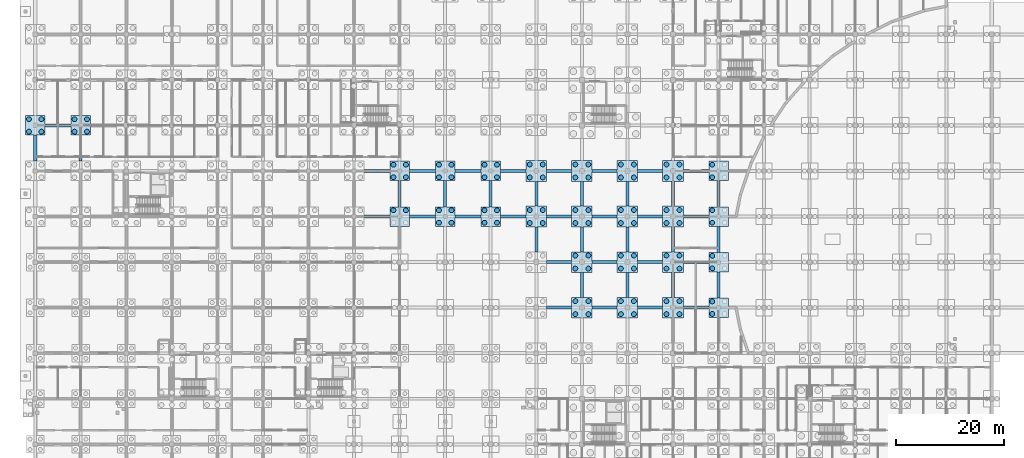
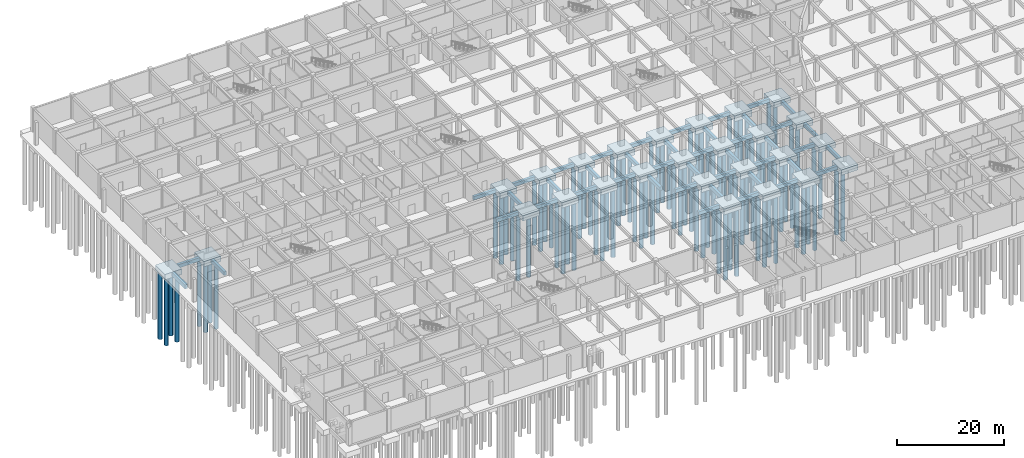
# One storey, part 6 of 65: 94 piles, 70 footings.
"""IFC4 building model written with IfcOpenShell, lengths in metres."""

import ifcopenshell
import ifcopenshell.guid

model = None  # the IFC model being written
_history = None  # IfcOwnerHistory: only IFC2X3 demands one
_inside = {}  # id of a spatial element -> (the spatial element, [elements in it])
_under = {}  # id of a project, library or spatial element -> (it, [spatial elements below it])
_declared = {}  # id of a project -> (the project, [libraries it declares])
_typed = {}  # id of a type object -> (the type object, [elements of that type])
_made_of = {}  # id of a material, layer set ... -> (it, [elements and type objects made of it])


def new_model(schema):
    """Start an empty IFC model of exactly this schema.

    Asked for "IFC4X3", IfcOpenShell would pick the latest addendum, in which some entities
    have other attributes; the version numbers below select the first issue.
    IFC2X3 requires an IfcOwnerHistory on every rooted entity: one is made here for all.
    """
    global model, _history
    if schema == "IFC4X3":
        model = ifcopenshell.file(schema_version=(4, 3, 0, 0))
    else:
        model = ifcopenshell.file(schema=schema)
    _inside.clear()
    _under.clear()
    _declared.clear()
    _typed.clear()
    _made_of.clear()
    _history = None
    if model.schema == "IFC2X3":
        org = make("IfcOrganization", Name="unknown")
        user = make(
            "IfcPersonAndOrganization",
            ThePerson=make("IfcPerson", FamilyName="unknown"),
            TheOrganization=org,
        )
        app = make(
            "IfcApplication",
            ApplicationDeveloper=org,
            Version="unknown",
            ApplicationFullName="unknown",
            ApplicationIdentifier="unknown",
        )
        _history = make(
            "IfcOwnerHistory",
            OwningUser=user,
            OwningApplication=app,
            ChangeAction="ADDED",
            CreationDate=0,
        )
    return model


def make(cls, **values):
    """One entity of the class cls with the attributes given. An attribute that is None is left unset."""
    return model.create_entity(
        cls, **{name: value for name, value in values.items() if value is not None}
    )


def rooted(cls, **values):
    """An entity with a GlobalId (a new one), such as an element, a storey or a relation."""
    return make(cls, GlobalId=ifcopenshell.guid.new(), OwnerHistory=_history, **values)


def si_unit(unit_type, name, prefix=None):
    """IfcSIUnit, for example si_unit("LENGTHUNIT", "METRE", prefix="MILLI")."""
    return make("IfcSIUnit", UnitType=unit_type, Prefix=prefix, Name=name)


def assignment(units):
    """IfcUnitAssignment: the units of a project."""
    return None if units is None else make("IfcUnitAssignment", Units=units)


def point(xyz):
    """IfcCartesianPoint."""
    return None if xyz is None else make("IfcCartesianPoint", Coordinates=xyz)


def direction(xyz):
    """IfcDirection."""
    return None if xyz is None else make("IfcDirection", DirectionRatios=xyz)


def frame(location, z_axis=None, x_axis=None):
    """IfcAxis2Placement3D, a coordinate frame: its origin and axes. An axis left out is left unset."""
    return make(
        "IfcAxis2Placement3D",
        Location=point(location),
        Axis=direction(z_axis),
        RefDirection=direction(x_axis),
    )


def frame_2d(location, x_axis=None):
    """IfcAxis2Placement2D, a coordinate frame in the plane: its origin and x axis."""
    return make(
        "IfcAxis2Placement2D", Location=point(location), RefDirection=direction(x_axis)
    )


def origin():
    """The frame at (0, 0, 0) with its axes left unset."""
    return frame((0.0, 0.0, 0.0))


def origin_2d():
    """The frame at (0, 0) in the plane with its x axis left unset."""
    return frame_2d((0.0, 0.0))


def place(relative_to, where):
    """IfcLocalPlacement: puts the frame where relative to a parent placement (None: the world)."""
    return make(
        "IfcLocalPlacement", PlacementRelTo=relative_to, RelativePlacement=where
    )


def context(
    kind, dimensions, precision=None, world=None, true_north=None, identifier=None
):
    """IfcGeometricRepresentationContext, for example the 3D "Model" context."""
    return make(
        "IfcGeometricRepresentationContext",
        ContextIdentifier=identifier,
        ContextType=kind,
        CoordinateSpaceDimension=dimensions,
        Precision=precision,
        WorldCoordinateSystem=world,
        TrueNorth=true_north,
    )


def subcontext(parent, identifier, kind, view, scale=None):
    """IfcGeometricRepresentationSubContext, for example "Body" below "Model"."""
    return make(
        "IfcGeometricRepresentationSubContext",
        ContextIdentifier=identifier,
        ContextType=kind,
        ParentContext=parent,
        TargetScale=scale,
        TargetView=view,
    )


def project(units=None, contexts=None):
    """IfcProject with its units and contexts."""
    return rooted(
        "IfcProject",
        Name="project",
        RepresentationContexts=contexts,
        UnitsInContext=assignment(units),
    )


def spatial(cls, under=None, at=None, **own):
    """A site, building, storey or space (cls), placed at a placement, below another one or the project."""
    s = rooted(cls, ObjectPlacement=at, **own)
    if under is not None:
        _under.setdefault(under.id(), (under, []))[1].append(s)
    return s


def profile(cls, at=None, kind="AREA", **sizes):
    """A parametric profile (cls). Its sizes go by their IFC names, for example OverallWidth=200.0."""
    return make(cls, ProfileType=kind, Position=at, **sizes)


def rectangle(**sizes):
    """IfcRectangleProfileDef."""
    return profile("IfcRectangleProfileDef", **sizes)


def circle(**sizes):
    """IfcCircleProfileDef."""
    return profile("IfcCircleProfileDef", **sizes)


def extrude(swept, where, along, depth):
    """IfcExtrudedAreaSolid: the profile swept, set in the frame where, extruded along a direction by depth."""
    return make(
        "IfcExtrudedAreaSolid",
        SweptArea=swept,
        Position=where,
        ExtrudedDirection=direction(along),
        Depth=depth,
    )


def shape(context_of_items, identifier, shape_type, items):
    """IfcShapeRepresentation: the items that make up one representation, for example the "Body"."""
    return make(
        "IfcShapeRepresentation",
        ContextOfItems=context_of_items,
        RepresentationIdentifier=identifier,
        RepresentationType=shape_type,
        Items=items,
    )


def material(Name=None, Category=None):
    """IfcMaterial."""
    return make("IfcMaterial", Name=Name, Category=Category)


def material_profile(
    of_material, cross_section, Name=None, Category=None, Priority=None
):
    """IfcMaterialProfile: a cross section and its material."""
    return make(
        "IfcMaterialProfile",
        Name=Name,
        Material=of_material,
        Profile=cross_section,
        Priority=Priority,
        Category=Category,
    )


def profile_set(profiles, Name=None, composite=None):
    """IfcMaterialProfileSet."""
    return make(
        "IfcMaterialProfileSet",
        Name=Name,
        MaterialProfiles=profiles,
        CompositeProfile=composite,
    )


def made_of(thing, what):
    """Note that an element or type object is made of a material, layer set ...; save() writes the relation."""
    if what is not None:
        _made_of.setdefault(what.id(), (what, []))[1].append(thing)
    return thing


def type_object(cls, material=None, **own):
    """A type object (cls), such as IfcWallType, which elements share."""
    return made_of(rooted(cls, **own), material)


def element(
    cls,
    number,
    at=None,
    inside=None,
    cuts=None,
    type_object=None,
    material=None,
    context=None,
    identifier="Body",
    shape_type=None,
    held_by="IfcProductDefinitionShape",
    body=None,
    shapes=None,
    **own,
):
    """One element of the class cls, such as IfcWall. Its Tag is "e" and its number.

    at: its placement. inside: the storey or other place that contains it. cuts: it is an
    opening in that element (IfcRelVoidsElement). A single representation is given by context,
    identifier, shape_type and body (its items); several are given by shapes. held_by: the class
    of the entity that holds the representations. save() writes the other relations.
    """
    e = rooted(cls, Tag="e%d" % number, ObjectPlacement=at, **own)
    if body is not None:
        shapes = [shape(context, identifier, shape_type, body)]
    if shapes is not None:
        e.Representation = make(held_by, Representations=shapes)
    if inside is not None:
        _inside.setdefault(inside.id(), (inside, []))[1].append(e)
    if cuts is not None:
        rooted(
            "IfcRelVoidsElement", RelatingBuildingElement=cuts, RelatedOpeningElement=e
        )
    if type_object is not None:
        _typed.setdefault(type_object.id(), (type_object, []))[1].append(e)
    return made_of(e, material)


def aggregate(whole, parts):
    """IfcRelAggregates: a whole, such as a stair, and the parts it consists of."""
    return rooted("IfcRelAggregates", RelatingObject=whole, RelatedObjects=parts)


def save(model, path):
    """Write the relations noted so far, then the file.

    IfcRelAggregates (storeys below a building ...), IfcRelContainedInSpatialStructure (elements
    in a storey), IfcRelDefinesByType, IfcRelAssociatesMaterial and IfcRelDeclares: one each for
    every whole, place, type object, material and project.
    """
    for whole, parts in _under.values():
        aggregate(whole, parts)
    for where, things in _inside.values():
        rooted(
            "IfcRelContainedInSpatialStructure",
            RelatedElements=things,
            RelatingStructure=where,
        )
    for kind, things in _typed.values():
        rooted("IfcRelDefinesByType", RelatedObjects=things, RelatingType=kind)
    for what, things in _made_of.values():
        rooted("IfcRelAssociatesMaterial", RelatedObjects=things, RelatingMaterial=what)
    for by, libraries in _declared.values():
        rooted("IfcRelDeclares", RelatingContext=by, RelatedDefinitions=libraries)
    model.write(path)


model = new_model("IFC4")

# Units and contexts
model_context = context("Model", 3, precision=1e-05, world=origin(), true_north=direction((0.0, 1.0)))
body_context = subcontext(model_context, "Body", "Model", "MODEL_VIEW")
ifc_project = project(units=[si_unit("LENGTHUNIT", "METRE"), si_unit("AREAUNIT", "SQUARE_METRE"), si_unit("VOLUMEUNIT", "CUBIC_METRE"), si_unit("PLANEANGLEUNIT", "RADIAN"), si_unit("MASSUNIT", "GRAM", prefix="KILO")], contexts=[model_context])

# Site, building, storey
site_placement = place(None, origin())
site = spatial("IfcSite", under=ifc_project, at=site_placement, CompositionType="ELEMENT")
building_placement = place(site_placement, origin())
building = spatial("IfcBuilding", under=site, at=building_placement, Name="Bramfleet General Hospital", CompositionType="ELEMENT")
storey_placement = place(building_placement, frame((0.0, 0.0, -5.39990234375)))
storey = spatial("IfcBuildingStorey", under=building, at=storey_placement, Name="B1", CompositionType="ELEMENT", Elevation=-5.39990234375)

# Footings
ifc_material = material(Name="Concrete C35/45", Category="concrete")
ifc_material_profile_1 = material_profile(ifc_material, rectangle(XDim=0.550048828125, YDim=0.800048828125, at=origin_2d()), Name="RC FB 800x550")
ifc_profile_set_1 = profile_set([ifc_material_profile_1], Name="Concrete C35/45")
footing_type_1 = type_object("IfcFootingType", Name="FTG-FB-01", PredefinedType="FOOTING_BEAM", material=ifc_profile_set_1)
footing_1_placement = place(storey_placement, frame((1.800048828125, 67.199951171875, -0.900146484375), z_axis=(1.0, 0.0, 0.0), x_axis=(0.0, 1.0, 0.0)))
element("IfcFooting", 1, at=footing_1_placement, inside=storey, type_object=footing_type_1, Name="Foundation Tie Beam X 00-08", PredefinedType="FOOTING_BEAM", context=body_context, shape_type="SweptSolid", body=[
    extrude(rectangle(XDim=0.550048828125, YDim=0.800048828125, at=origin_2d()), origin(), (0.0, 0.0, 1.0), 4.800048828125),
])
for number, where, z_axis, x_axis, name in (
    (2, (8.39990234375, 60.60009765625, -0.900146484375), (0.0, 1.0, 0.0), (-1.0, 0.0, 0.0), "Foundation Tie Beam Y 01-07"),
    (3, (60.60009765625, 50.39990234375, -0.900146484375), (1.0, 0.0, 0.0), (0.0, 1.0, 0.0), "Foundation Tie Beam X 07-06"),
    (4, (60.60009765625, 58.800048828125, -0.900146484375), (1.0, 0.0, 0.0), (0.0, 1.0, 0.0), "Foundation Tie Beam X 07-07"),
):
    element("IfcFooting", number, at=place(storey_placement, frame(where, z_axis=z_axis, x_axis=x_axis)), inside=storey, type_object=footing_type_1, Name=name, PredefinedType="FOOTING_BEAM", context=body_context, shape_type="SweptSolid", body=[
        extrude(rectangle(XDim=0.550048828125, YDim=0.800048828125, at=origin_2d()), origin(), (0.0, 0.0, 1.0), 4.7998046875),
    ])
for number, where, z_axis, x_axis, name in (
    (5, (69.0, 50.39990234375, -0.900146484375), (1.0, 0.0, 0.0), (0.0, 1.0, 0.0), "Foundation Tie Beam X 08-06"),
    (6, (67.199951171875, 52.199951171875, -0.900146484375), (0.0, 1.0, 0.0), (-1.0, 0.0, 0.0), "Foundation Tie Beam Y 08-06"),
    (7, (69.0, 58.800048828125, -0.900146484375), (1.0, 0.0, 0.0), (0.0, 1.0, 0.0), "Foundation Tie Beam X 08-07"),
    (8, (77.39990234375, 50.39990234375, -0.900146484375), (1.0, 0.0, 0.0), (0.0, 1.0, 0.0), "Foundation Tie Beam X 09-06"),
    (9, (75.60009765625, 52.199951171875, -0.900146484375), (0.0, 1.0, 0.0), (-1.0, 0.0, 0.0), "Foundation Tie Beam Y 09-06"),
    (10, (77.39990234375, 58.800048828125, -0.900146484375), (1.0, 0.0, 0.0), (0.0, 1.0, 0.0), "Foundation Tie Beam X 09-07"),
):
    element("IfcFooting", number, at=place(storey_placement, frame(where, z_axis=z_axis, x_axis=x_axis)), inside=storey, type_object=footing_type_1, Name=name, PredefinedType="FOOTING_BEAM", context=body_context, shape_type="SweptSolid", body=[
        extrude(rectangle(XDim=0.550048828125, YDim=0.800048828125, at=origin_2d()), origin(), (0.0, 0.0, 1.0), 4.800048828125),
    ])
footing_2_placement = place(storey_placement, frame((85.800048828125, 50.39990234375, -0.900146484375), z_axis=(1.0, 0.0, 0.0), x_axis=(0.0, 1.0, 0.0)))
element("IfcFooting", 11, at=footing_2_placement, inside=storey, type_object=footing_type_1, Name="Foundation Tie Beam X 10-06", PredefinedType="FOOTING_BEAM", context=body_context, shape_type="SweptSolid", body=[
    extrude(rectangle(XDim=0.550048828125, YDim=0.800048828125, at=origin_2d()), origin(), (0.0, 0.0, 1.0), 4.699951171875),
])
footing_3_placement = place(storey_placement, frame((84.0, 52.199951171875, -0.900146484375), z_axis=(0.0, 1.0, 0.0), x_axis=(-1.0, 0.0, 0.0)))
element("IfcFooting", 12, at=footing_3_placement, inside=storey, type_object=footing_type_1, Name="Foundation Tie Beam Y 10-06", PredefinedType="FOOTING_BEAM", context=body_context, shape_type="SweptSolid", body=[
    extrude(rectangle(XDim=0.550048828125, YDim=0.800048828125, at=origin_2d()), origin(), (0.0, 0.0, 1.0), 4.800048828125),
])
footing_4_placement = place(storey_placement, frame((85.800048828125, 58.800048828125, -0.900146484375), z_axis=(1.0, 0.0, 0.0), x_axis=(0.0, 1.0, 0.0)))
element("IfcFooting", 13, at=footing_4_placement, inside=storey, type_object=footing_type_1, Name="Foundation Tie Beam X 10-07", PredefinedType="FOOTING_BEAM", context=body_context, shape_type="SweptSolid", body=[
    extrude(rectangle(XDim=0.550048828125, YDim=0.800048828125, at=origin_2d()), origin(), (0.0, 0.0, 1.0), 4.699951171875),
])
for number, where, z_axis, x_axis, name in (
    (14, (94.300048828125, 33.60009765625, -0.900146484375), (1.0, 0.0, 0.0), (0.0, 1.0, 0.0), "Foundation Tie Beam X 11-04"),
    (15, (94.300048828125, 42.0, -0.900146484375), (1.0, 0.0, 0.0), (0.0, 1.0, 0.0), "Foundation Tie Beam X 11-05"),
):
    element("IfcFooting", number, at=place(storey_placement, frame(where, z_axis=z_axis, x_axis=x_axis)), inside=storey, type_object=footing_type_1, Name=name, PredefinedType="FOOTING_BEAM", context=body_context, shape_type="SweptSolid", body=[
        extrude(rectangle(XDim=0.550048828125, YDim=0.800048828125, at=origin_2d()), origin(), (0.0, 0.0, 1.0), 4.599853515625),
    ])
footing_5_placement = place(storey_placement, frame((92.39990234375, 43.89990234375, -0.900146484375), z_axis=(0.0, 1.0, 0.0), x_axis=(-1.0, 0.0, 0.0)))
element("IfcFooting", 16, at=footing_5_placement, inside=storey, type_object=footing_type_1, Name="Foundation Tie Beam Y 11-05", PredefinedType="FOOTING_BEAM", context=body_context, shape_type="SweptSolid", body=[
    extrude(rectangle(XDim=0.550048828125, YDim=0.800048828125, at=origin_2d()), origin(), (0.0, 0.0, 1.0), 4.60009765625),
])
for number, where, z_axis, x_axis, name in (
    (17, (94.300048828125, 50.39990234375, -0.900146484375), (1.0, 0.0, 0.0), (0.0, 1.0, 0.0), "Foundation Tie Beam X 11-06"),
    (18, (92.39990234375, 52.300048828125, -0.900146484375), (0.0, 1.0, 0.0), (-1.0, 0.0, 0.0), "Foundation Tie Beam Y 11-06"),
    (19, (94.300048828125, 58.800048828125, -0.900146484375), (1.0, 0.0, 0.0), (0.0, 1.0, 0.0), "Foundation Tie Beam X 11-07"),
):
    element("IfcFooting", number, at=place(storey_placement, frame(where, z_axis=z_axis, x_axis=x_axis)), inside=storey, type_object=footing_type_1, Name=name, PredefinedType="FOOTING_BEAM", context=body_context, shape_type="SweptSolid", body=[
        extrude(rectangle(XDim=0.550048828125, YDim=0.800048828125, at=origin_2d()), origin(), (0.0, 0.0, 1.0), 4.599853515625),
    ])
for number, where, z_axis, x_axis, name in (
    (20, (102.699951171875, 33.60009765625, -0.900146484375), (1.0, 0.0, 0.0), (0.0, 1.0, 0.0), "Foundation Tie Beam X 12-04"),
    (21, (100.800048828125, 35.5, -0.900146484375), (0.0, 1.0, 0.0), (-1.0, 0.0, 0.0), "Foundation Tie Beam Y 12-04"),
    (22, (102.699951171875, 42.0, -0.900146484375), (1.0, 0.0, 0.0), (0.0, 1.0, 0.0), "Foundation Tie Beam X 12-05"),
    (23, (100.800048828125, 43.89990234375, -0.900146484375), (0.0, 1.0, 0.0), (-1.0, 0.0, 0.0), "Foundation Tie Beam Y 12-05"),
    (24, (102.699951171875, 50.39990234375, -0.900146484375), (1.0, 0.0, 0.0), (0.0, 1.0, 0.0), "Foundation Tie Beam X 12-06"),
):
    element("IfcFooting", number, at=place(storey_placement, frame(where, z_axis=z_axis, x_axis=x_axis)), inside=storey, type_object=footing_type_1, Name=name, PredefinedType="FOOTING_BEAM", context=body_context, shape_type="SweptSolid", body=[
        extrude(rectangle(XDim=0.550048828125, YDim=0.800048828125, at=origin_2d()), origin(), (0.0, 0.0, 1.0), 4.60009765625),
    ])
footing_6_placement = place(storey_placement, frame((100.800048828125, 52.300048828125, -0.900146484375), z_axis=(0.0, 1.0, 0.0), x_axis=(-1.0, 0.0, 0.0)))
element("IfcFooting", 25, at=footing_6_placement, inside=storey, type_object=footing_type_1, Name="Foundation Tie Beam Y 12-06", PredefinedType="FOOTING_BEAM", context=body_context, shape_type="SweptSolid", body=[
    extrude(rectangle(XDim=0.550048828125, YDim=0.800048828125, at=origin_2d()), origin(), (0.0, 0.0, 1.0), 4.599853515625),
])
footing_7_placement = place(storey_placement, frame((102.699951171875, 58.800048828125, -0.900146484375), z_axis=(1.0, 0.0, 0.0), x_axis=(0.0, 1.0, 0.0)))
element("IfcFooting", 26, at=footing_7_placement, inside=storey, type_object=footing_type_1, Name="Foundation Tie Beam X 12-07", PredefinedType="FOOTING_BEAM", context=body_context, shape_type="SweptSolid", body=[
    extrude(rectangle(XDim=0.550048828125, YDim=0.800048828125, at=origin_2d()), origin(), (0.0, 0.0, 1.0), 4.60009765625),
])
footing_8_placement = place(storey_placement, frame((111.10009765625, 33.60009765625, -0.900146484375), z_axis=(1.0, 0.0, 0.0), x_axis=(0.0, 1.0, 0.0)))
element("IfcFooting", 27, at=footing_8_placement, inside=storey, type_object=footing_type_1, Name="Foundation Tie Beam X 13-04", PredefinedType="FOOTING_BEAM", context=body_context, shape_type="SweptSolid", body=[
    extrude(rectangle(XDim=0.550048828125, YDim=0.800048828125, at=origin_2d()), origin(), (0.0, 0.0, 1.0), 4.599853515625),
])
footing_9_placement = place(storey_placement, frame((109.199951171875, 35.5, -0.900146484375), z_axis=(0.0, 1.0, 0.0), x_axis=(-1.0, 0.0, 0.0)))
element("IfcFooting", 28, at=footing_9_placement, inside=storey, type_object=footing_type_1, Name="Foundation Tie Beam Y 13-04", PredefinedType="FOOTING_BEAM", context=body_context, shape_type="SweptSolid", body=[
    extrude(rectangle(XDim=0.550048828125, YDim=0.800048828125, at=origin_2d()), origin(), (0.0, 0.0, 1.0), 4.60009765625),
])
footing_10_placement = place(storey_placement, frame((111.10009765625, 42.0, -0.900146484375), z_axis=(1.0, 0.0, 0.0), x_axis=(0.0, 1.0, 0.0)))
element("IfcFooting", 29, at=footing_10_placement, inside=storey, type_object=footing_type_1, Name="Foundation Tie Beam X 13-05", PredefinedType="FOOTING_BEAM", context=body_context, shape_type="SweptSolid", body=[
    extrude(rectangle(XDim=0.550048828125, YDim=0.800048828125, at=origin_2d()), origin(), (0.0, 0.0, 1.0), 4.599853515625),
])
footing_11_placement = place(storey_placement, frame((109.199951171875, 43.89990234375, -0.900146484375), z_axis=(0.0, 1.0, 0.0), x_axis=(-1.0, 0.0, 0.0)))
element("IfcFooting", 30, at=footing_11_placement, inside=storey, type_object=footing_type_1, Name="Foundation Tie Beam Y 13-05", PredefinedType="FOOTING_BEAM", context=body_context, shape_type="SweptSolid", body=[
    extrude(rectangle(XDim=0.550048828125, YDim=0.800048828125, at=origin_2d()), origin(), (0.0, 0.0, 1.0), 4.60009765625),
])
for number, where, z_axis, x_axis, name in (
    (31, (111.10009765625, 50.39990234375, -0.900146484375), (1.0, 0.0, 0.0), (0.0, 1.0, 0.0), "Foundation Tie Beam X 13-06"),
    (32, (109.199951171875, 52.300048828125, -0.900146484375), (0.0, 1.0, 0.0), (-1.0, 0.0, 0.0), "Foundation Tie Beam Y 13-06"),
    (33, (111.10009765625, 58.800048828125, -0.900146484375), (1.0, 0.0, 0.0), (0.0, 1.0, 0.0), "Foundation Tie Beam X 13-07"),
):
    element("IfcFooting", number, at=place(storey_placement, frame(where, z_axis=z_axis, x_axis=x_axis)), inside=storey, type_object=footing_type_1, Name=name, PredefinedType="FOOTING_BEAM", context=body_context, shape_type="SweptSolid", body=[
        extrude(rectangle(XDim=0.550048828125, YDim=0.800048828125, at=origin_2d()), origin(), (0.0, 0.0, 1.0), 4.599853515625),
    ])
footing_12_placement = place(storey_placement, frame((119.5, 33.60009765625, -0.900146484375), z_axis=(1.0, 0.0, 0.0), x_axis=(0.0, 1.0, 0.0)))
element("IfcFooting", 34, at=footing_12_placement, inside=storey, type_object=footing_type_1, Name="Foundation Tie Beam X 14-04", PredefinedType="FOOTING_BEAM", context=body_context, shape_type="SweptSolid", body=[
    extrude(rectangle(XDim=0.550048828125, YDim=0.800048828125, at=origin_2d()), origin(), (0.0, 0.0, 1.0), 4.699951171875),
])
footing_13_placement = place(storey_placement, frame((117.60009765625, 35.5, -0.900146484375), z_axis=(0.0, 1.0, 0.0), x_axis=(-1.0, 0.0, 0.0)))
element("IfcFooting", 35, at=footing_13_placement, inside=storey, type_object=footing_type_1, Name="Foundation Tie Beam Y 14-04", PredefinedType="FOOTING_BEAM", context=body_context, shape_type="SweptSolid", body=[
    extrude(rectangle(XDim=0.550048828125, YDim=0.800048828125, at=origin_2d()), origin(), (0.0, 0.0, 1.0), 4.60009765625),
])
footing_14_placement = place(storey_placement, frame((119.5, 42.0, -0.900146484375), z_axis=(1.0, 0.0, 0.0), x_axis=(0.0, 1.0, 0.0)))
element("IfcFooting", 36, at=footing_14_placement, inside=storey, type_object=footing_type_1, Name="Foundation Tie Beam X 14-05", PredefinedType="FOOTING_BEAM", context=body_context, shape_type="SweptSolid", body=[
    extrude(rectangle(XDim=0.550048828125, YDim=0.800048828125, at=origin_2d()), origin(), (0.0, 0.0, 1.0), 4.699951171875),
])
footing_15_placement = place(storey_placement, frame((117.60009765625, 43.89990234375, -0.900146484375), z_axis=(0.0, 1.0, 0.0), x_axis=(-1.0, 0.0, 0.0)))
element("IfcFooting", 37, at=footing_15_placement, inside=storey, type_object=footing_type_1, Name="Foundation Tie Beam Y 14-05", PredefinedType="FOOTING_BEAM", context=body_context, shape_type="SweptSolid", body=[
    extrude(rectangle(XDim=0.550048828125, YDim=0.800048828125, at=origin_2d()), origin(), (0.0, 0.0, 1.0), 4.60009765625),
])
footing_16_placement = place(storey_placement, frame((119.5, 50.39990234375, -0.900146484375), z_axis=(1.0, 0.0, 0.0), x_axis=(0.0, 1.0, 0.0)))
element("IfcFooting", 38, at=footing_16_placement, inside=storey, type_object=footing_type_1, Name="Foundation Tie Beam X 14-06", PredefinedType="FOOTING_BEAM", context=body_context, shape_type="SweptSolid", body=[
    extrude(rectangle(XDim=0.550048828125, YDim=0.800048828125, at=origin_2d()), origin(), (0.0, 0.0, 1.0), 4.699951171875),
])
footing_17_placement = place(storey_placement, frame((117.60009765625, 52.300048828125, -0.900146484375), z_axis=(0.0, 1.0, 0.0), x_axis=(-1.0, 0.0, 0.0)))
element("IfcFooting", 39, at=footing_17_placement, inside=storey, type_object=footing_type_1, Name="Foundation Tie Beam Y 14-06", PredefinedType="FOOTING_BEAM", context=body_context, shape_type="SweptSolid", body=[
    extrude(rectangle(XDim=0.550048828125, YDim=0.800048828125, at=origin_2d()), origin(), (0.0, 0.0, 1.0), 4.599853515625),
])
footing_18_placement = place(storey_placement, frame((119.5, 58.800048828125, -0.900146484375), z_axis=(1.0, 0.0, 0.0), x_axis=(0.0, 1.0, 0.0)))
element("IfcFooting", 40, at=footing_18_placement, inside=storey, type_object=footing_type_1, Name="Foundation Tie Beam X 14-07", PredefinedType="FOOTING_BEAM", context=body_context, shape_type="SweptSolid", body=[
    extrude(rectangle(XDim=0.550048828125, YDim=0.800048828125, at=origin_2d()), origin(), (0.0, 0.0, 1.0), 4.699951171875),
])
for number, where, z_axis, x_axis, name in (
    (41, (126.0, 35.39990234375, -0.900146484375), (0.0, 1.0, 0.0), (-1.0, 0.0, 0.0), "Foundation Tie Beam Y 15-04"),
    (42, (126.0, 43.800048828125, -0.900146484375), (0.0, 1.0, 0.0), (-1.0, 0.0, 0.0), "Foundation Tie Beam Y 15-05"),
    (43, (126.0, 52.199951171875, -0.900146484375), (0.0, 1.0, 0.0), (-1.0, 0.0, 0.0), "Foundation Tie Beam Y 15-06"),
):
    element("IfcFooting", number, at=place(storey_placement, frame(where, z_axis=z_axis, x_axis=x_axis)), inside=storey, type_object=footing_type_1, Name=name, PredefinedType="FOOTING_BEAM", context=body_context, shape_type="SweptSolid", body=[
        extrude(rectangle(XDim=0.550048828125, YDim=0.800048828125, at=origin_2d()), origin(), (0.0, 0.0, 1.0), 4.800048828125),
    ])
ifc_material_profile_2 = material_profile(ifc_material, rectangle(XDim=0.60009765625, YDim=0.89990234375, at=origin_2d()), Name="RC FB 900x600")
ifc_profile_set_2 = profile_set([ifc_material_profile_2], Name="Concrete C35/45")
footing_type_2 = type_object("IfcFootingType", Name="FTG-FB-02", PredefinedType="FOOTING_BEAM", material=ifc_profile_set_2)
footing_19_placement = place(storey_placement, frame((0.0, 60.60009765625, -0.9501953125), z_axis=(0.0, 1.0, 0.0), x_axis=(-1.0, 0.0, 0.0)))
element("IfcFooting", 44, at=footing_19_placement, inside=storey, type_object=footing_type_2, Name="Foundation Tie Beam Y 00-07", PredefinedType="FOOTING_BEAM", context=body_context, shape_type="SweptSolid", body=[
    extrude(rectangle(XDim=0.60009765625, YDim=0.89990234375, at=origin_2d()), origin(), (0.0, 0.0, 1.0), 4.7998046875),
])
footing_type_3 = type_object("IfcFootingType", Name="FTG-PC-03", PredefinedType="PILE_CAP", material=ifc_material)
for number, where, z_axis, x_axis, name in (
    (45, (0.0, 67.199951171875, -1.7001953125), (0.0, 0.0, 1.0), (1.0, 0.0, 0.0), "Pile Cap FTG-B1-00-08"),
    (46, (8.39990234375, 67.199951171875, -1.7001953125), (0.0, 0.0, 1.0), (1.0, 0.0, 0.0), "Pile Cap FTG-B1-01-08"),
    (47, (67.199951171875, 50.39990234375, -1.7001953125), (0.0, 0.0, 1.0), (1.0, 0.0, 0.0), "Pile Cap FTG-B1-08-06"),
    (48, (67.199951171875, 58.800048828125, -1.7001953125), (0.0, 0.0, 1.0), (1.0, 0.0, 0.0), "Pile Cap FTG-B1-08-07"),
    (49, (75.60009765625, 50.39990234375, -1.7001953125), (0.0, 0.0, 1.0), (1.0, 0.0, 0.0), "Pile Cap FTG-B1-09-06"),
    (50, (75.60009765625, 58.800048828125, -1.7001953125), (0.0, 0.0, 1.0), (1.0, 0.0, 0.0), "Pile Cap FTG-B1-09-07"),
    (51, (84.0, 50.39990234375, -1.7001953125), (0.0, 0.0, 1.0), (1.0, 0.0, 0.0), "Pile Cap FTG-B1-10-06"),
    (52, (84.0, 58.800048828125, -1.7001953125), (0.0, 0.0, 1.0), (1.0, 0.0, 0.0), "Pile Cap FTG-B1-10-07"),
    (53, (126.0, 33.60009765625, -1.7001953125), (0.0, 0.0, 1.0), (1.0, 0.0, 0.0), "Pile Cap FTG-B1-15-04"),
    (54, (126.0, 42.0, -1.7001953125), (0.0, 0.0, 1.0), (1.0, 0.0, 0.0), "Pile Cap FTG-B1-15-05"),
    (55, (126.0, 50.39990234375, -1.7001953125), (0.0, 0.0, 1.0), (1.0, 0.0, 0.0), "Pile Cap FTG-B1-15-06"),
    (56, (126.0, 58.800048828125, -1.7001953125), (0.0, 0.0, 1.0), (1.0, 0.0, 0.0), "Pile Cap FTG-B1-15-07"),
):
    element("IfcFooting", number, at=place(storey_placement, frame(where, z_axis=z_axis, x_axis=x_axis)), inside=storey, type_object=footing_type_3, Name=name, PredefinedType="PILE_CAP", context=body_context, shape_type="SweptSolid", body=[
        extrude(rectangle(XDim=3.60009765625, YDim=3.60009765625, at=origin_2d()), origin(), (0.0, 0.0, 1.0), 1.199951171875),
    ])
footing_type_4 = type_object("IfcFootingType", Name="FTG-PC-04", PredefinedType="PILE_CAP", material=ifc_material)
for number, where, z_axis, x_axis, name in (
    (57, (92.39990234375, 50.39990234375, -1.80029296875), (0.0, 0.0, 1.0), (1.0, 0.0, 0.0), "Pile Cap FTG-B1-11-06"),
    (58, (92.39990234375, 58.800048828125, -1.80029296875), (0.0, 0.0, 1.0), (1.0, 0.0, 0.0), "Pile Cap FTG-B1-11-07"),
    (59, (100.800048828125, 33.60009765625, -1.80029296875), (0.0, 0.0, 1.0), (1.0, 0.0, 0.0), "Pile Cap FTG-B1-12-04"),
    (60, (100.800048828125, 42.0, -1.80029296875), (0.0, 0.0, 1.0), (1.0, 0.0, 0.0), "Pile Cap FTG-B1-12-05"),
    (61, (100.800048828125, 50.39990234375, -1.80029296875), (0.0, 0.0, 1.0), (1.0, 0.0, 0.0), "Pile Cap FTG-B1-12-06"),
    (62, (100.800048828125, 58.800048828125, -1.80029296875), (0.0, 0.0, 1.0), (1.0, 0.0, 0.0), "Pile Cap FTG-B1-12-07"),
    (63, (109.199951171875, 33.60009765625, -1.80029296875), (0.0, 0.0, 1.0), (1.0, 0.0, 0.0), "Pile Cap FTG-B1-13-04"),
    (64, (109.199951171875, 42.0, -1.80029296875), (0.0, 0.0, 1.0), (1.0, 0.0, 0.0), "Pile Cap FTG-B1-13-05"),
    (65, (109.199951171875, 50.39990234375, -1.80029296875), (0.0, 0.0, 1.0), (1.0, 0.0, 0.0), "Pile Cap FTG-B1-13-06"),
    (66, (109.199951171875, 58.800048828125, -1.80029296875), (0.0, 0.0, 1.0), (1.0, 0.0, 0.0), "Pile Cap FTG-B1-13-07"),
    (67, (117.60009765625, 33.60009765625, -1.80029296875), (0.0, 0.0, 1.0), (1.0, 0.0, 0.0), "Pile Cap FTG-B1-14-04"),
    (68, (117.60009765625, 42.0, -1.80029296875), (0.0, 0.0, 1.0), (1.0, 0.0, 0.0), "Pile Cap FTG-B1-14-05"),
    (69, (117.60009765625, 50.39990234375, -1.80029296875), (0.0, 0.0, 1.0), (1.0, 0.0, 0.0), "Pile Cap FTG-B1-14-06"),
    (70, (117.60009765625, 58.800048828125, -1.80029296875), (0.0, 0.0, 1.0), (1.0, 0.0, 0.0), "Pile Cap FTG-B1-14-07"),
):
    element("IfcFooting", number, at=place(storey_placement, frame(where, z_axis=z_axis, x_axis=x_axis)), inside=storey, type_object=footing_type_4, Name=name, PredefinedType="PILE_CAP", context=body_context, shape_type="SweptSolid", body=[
        extrude(rectangle(XDim=3.800048828125, YDim=3.800048828125, at=origin_2d()), origin(), (0.0, 0.0, 1.0), 1.300048828125),
    ])

# Piles
ifc_material_profile_3 = material_profile(ifc_material, circle(Radius=0.449951171875, at=origin_2d()), Name="PILE BORED D900")
ifc_profile_set_3 = profile_set([ifc_material_profile_3], Name="Concrete C35/45")
pile_type = type_object("IfcPileType", Name="PILE-D900", PredefinedType="BORED", material=ifc_profile_set_3)
for number, where, z_axis, x_axis, name in (
    (71, (-1.14990234375, 66.050048828125, -1.60009765625), (0.0, 0.0, -1.0), (1.0, 0.0, 0.0), "Bored Pile PILE-B1-00-08-1"),
    (72, (1.14990234375, 66.050048828125, -1.60009765625), (0.0, 0.0, -1.0), (1.0, 0.0, 0.0), "Bored Pile PILE-B1-00-08-2"),
    (73, (-1.14990234375, 68.35009765625, -1.60009765625), (0.0, 0.0, -1.0), (1.0, 0.0, 0.0), "Bored Pile PILE-B1-00-08-3"),
    (74, (1.14990234375, 68.35009765625, -1.60009765625), (0.0, 0.0, -1.0), (1.0, 0.0, 0.0), "Bored Pile PILE-B1-00-08-4"),
    (75, (7.25, 66.050048828125, -1.60009765625), (0.0, 0.0, -1.0), (1.0, 0.0, 0.0), "Bored Pile PILE-B1-01-08-1"),
    (76, (9.550048828125, 66.050048828125, -1.60009765625), (0.0, 0.0, -1.0), (1.0, 0.0, 0.0), "Bored Pile PILE-B1-01-08-2"),
    (77, (7.25, 68.35009765625, -1.60009765625), (0.0, 0.0, -1.0), (1.0, 0.0, 0.0), "Bored Pile PILE-B1-01-08-3"),
    (78, (9.550048828125, 68.35009765625, -1.60009765625), (0.0, 0.0, -1.0), (1.0, 0.0, 0.0), "Bored Pile PILE-B1-01-08-4"),
    (79, (66.050048828125, 51.550048828125, -1.60009765625), (0.0, 0.0, -1.0), (1.0, 0.0, 0.0), "Bored Pile PILE-B1-08-06-3"),
    (80, (68.35009765625, 51.550048828125, -1.60009765625), (0.0, 0.0, -1.0), (1.0, 0.0, 0.0), "Bored Pile PILE-B1-08-06-4"),
    (81, (66.050048828125, 57.64990234375, -1.60009765625), (0.0, 0.0, -1.0), (1.0, 0.0, 0.0), "Bored Pile PILE-B1-08-07-1"),
    (82, (68.35009765625, 57.64990234375, -1.60009765625), (0.0, 0.0, -1.0), (1.0, 0.0, 0.0), "Bored Pile PILE-B1-08-07-2"),
    (83, (66.050048828125, 59.949951171875, -1.60009765625), (0.0, 0.0, -1.0), (1.0, 0.0, 0.0), "Bored Pile PILE-B1-08-07-3"),
    (84, (68.35009765625, 59.949951171875, -1.60009765625), (0.0, 0.0, -1.0), (1.0, 0.0, 0.0), "Bored Pile PILE-B1-08-07-4"),
    (85, (74.449951171875, 49.25, -1.60009765625), (0.0, 0.0, -1.0), (1.0, 0.0, 0.0), "Bored Pile PILE-B1-09-06-1"),
    (86, (76.75, 49.25, -1.60009765625), (0.0, 0.0, -1.0), (1.0, 0.0, 0.0), "Bored Pile PILE-B1-09-06-2"),
    (87, (74.449951171875, 51.550048828125, -1.60009765625), (0.0, 0.0, -1.0), (1.0, 0.0, 0.0), "Bored Pile PILE-B1-09-06-3"),
    (88, (76.75, 51.550048828125, -1.60009765625), (0.0, 0.0, -1.0), (1.0, 0.0, 0.0), "Bored Pile PILE-B1-09-06-4"),
    (89, (74.449951171875, 57.64990234375, -1.60009765625), (0.0, 0.0, -1.0), (1.0, 0.0, 0.0), "Bored Pile PILE-B1-09-07-1"),
    (90, (76.75, 57.64990234375, -1.60009765625), (0.0, 0.0, -1.0), (1.0, 0.0, 0.0), "Bored Pile PILE-B1-09-07-2"),
    (91, (74.449951171875, 59.949951171875, -1.60009765625), (0.0, 0.0, -1.0), (1.0, 0.0, 0.0), "Bored Pile PILE-B1-09-07-3"),
    (92, (76.75, 59.949951171875, -1.60009765625), (0.0, 0.0, -1.0), (1.0, 0.0, 0.0), "Bored Pile PILE-B1-09-07-4"),
    (93, (82.85009765625, 49.25, -1.60009765625), (0.0, 0.0, -1.0), (1.0, 0.0, 0.0), "Bored Pile PILE-B1-10-06-1"),
    (94, (85.14990234375, 49.25, -1.60009765625), (0.0, 0.0, -1.0), (1.0, 0.0, 0.0), "Bored Pile PILE-B1-10-06-2"),
    (95, (82.85009765625, 51.550048828125, -1.60009765625), (0.0, 0.0, -1.0), (1.0, 0.0, 0.0), "Bored Pile PILE-B1-10-06-3"),
    (96, (85.14990234375, 51.550048828125, -1.60009765625), (0.0, 0.0, -1.0), (1.0, 0.0, 0.0), "Bored Pile PILE-B1-10-06-4"),
    (97, (82.85009765625, 57.64990234375, -1.60009765625), (0.0, 0.0, -1.0), (1.0, 0.0, 0.0), "Bored Pile PILE-B1-10-07-1"),
    (98, (85.14990234375, 57.64990234375, -1.60009765625), (0.0, 0.0, -1.0), (1.0, 0.0, 0.0), "Bored Pile PILE-B1-10-07-2"),
    (99, (82.85009765625, 59.949951171875, -1.60009765625), (0.0, 0.0, -1.0), (1.0, 0.0, 0.0), "Bored Pile PILE-B1-10-07-3"),
    (100, (85.14990234375, 59.949951171875, -1.60009765625), (0.0, 0.0, -1.0), (1.0, 0.0, 0.0), "Bored Pile PILE-B1-10-07-4"),
):
    element("IfcPile", number, at=place(storey_placement, frame(where, z_axis=z_axis, x_axis=x_axis)), inside=storey, type_object=pile_type, Name=name, PredefinedType="BORED", context=body_context, shape_type="SweptSolid", body=[
        extrude(circle(Radius=0.449951171875, at=origin_2d()), origin(), (0.0, 0.0, 1.0), 15.39990234375),
    ])
for number, where, z_axis, x_axis, name in (
    (101, (91.199951171875, 49.199951171875, -1.7001953125), (0.0, 0.0, -1.0), (1.0, 0.0, 0.0), "Bored Pile PILE-B1-11-06-1"),
    (102, (93.60009765625, 49.199951171875, -1.7001953125), (0.0, 0.0, -1.0), (1.0, 0.0, 0.0), "Bored Pile PILE-B1-11-06-2"),
    (103, (91.199951171875, 51.60009765625, -1.7001953125), (0.0, 0.0, -1.0), (1.0, 0.0, 0.0), "Bored Pile PILE-B1-11-06-3"),
    (104, (93.60009765625, 51.60009765625, -1.7001953125), (0.0, 0.0, -1.0), (1.0, 0.0, 0.0), "Bored Pile PILE-B1-11-06-4"),
    (105, (91.199951171875, 57.60009765625, -1.7001953125), (0.0, 0.0, -1.0), (1.0, 0.0, 0.0), "Bored Pile PILE-B1-11-07-1"),
    (106, (93.60009765625, 57.60009765625, -1.7001953125), (0.0, 0.0, -1.0), (1.0, 0.0, 0.0), "Bored Pile PILE-B1-11-07-2"),
    (107, (91.199951171875, 60.0, -1.7001953125), (0.0, 0.0, -1.0), (1.0, 0.0, 0.0), "Bored Pile PILE-B1-11-07-3"),
    (108, (93.60009765625, 60.0, -1.7001953125), (0.0, 0.0, -1.0), (1.0, 0.0, 0.0), "Bored Pile PILE-B1-11-07-4"),
    (109, (99.60009765625, 32.39990234375, -1.7001953125), (0.0, 0.0, -1.0), (1.0, 0.0, 0.0), "Bored Pile PILE-B1-12-04-1"),
    (110, (102.0, 32.39990234375, -1.7001953125), (0.0, 0.0, -1.0), (1.0, 0.0, 0.0), "Bored Pile PILE-B1-12-04-2"),
    (111, (99.60009765625, 34.800048828125, -1.7001953125), (0.0, 0.0, -1.0), (1.0, 0.0, 0.0), "Bored Pile PILE-B1-12-04-3"),
    (112, (102.0, 34.800048828125, -1.7001953125), (0.0, 0.0, -1.0), (1.0, 0.0, 0.0), "Bored Pile PILE-B1-12-04-4"),
    (113, (99.60009765625, 40.800048828125, -1.7001953125), (0.0, 0.0, -1.0), (1.0, 0.0, 0.0), "Bored Pile PILE-B1-12-05-1"),
    (114, (102.0, 40.800048828125, -1.7001953125), (0.0, 0.0, -1.0), (1.0, 0.0, 0.0), "Bored Pile PILE-B1-12-05-2"),
    (115, (99.60009765625, 43.199951171875, -1.7001953125), (0.0, 0.0, -1.0), (1.0, 0.0, 0.0), "Bored Pile PILE-B1-12-05-3"),
    (116, (102.0, 43.199951171875, -1.7001953125), (0.0, 0.0, -1.0), (1.0, 0.0, 0.0), "Bored Pile PILE-B1-12-05-4"),
    (117, (99.60009765625, 49.199951171875, -1.7001953125), (0.0, 0.0, -1.0), (1.0, 0.0, 0.0), "Bored Pile PILE-B1-12-06-1"),
    (118, (102.0, 49.199951171875, -1.7001953125), (0.0, 0.0, -1.0), (1.0, 0.0, 0.0), "Bored Pile PILE-B1-12-06-2"),
    (119, (99.60009765625, 51.60009765625, -1.7001953125), (0.0, 0.0, -1.0), (1.0, 0.0, 0.0), "Bored Pile PILE-B1-12-06-3"),
    (120, (102.0, 51.60009765625, -1.7001953125), (0.0, 0.0, -1.0), (1.0, 0.0, 0.0), "Bored Pile PILE-B1-12-06-4"),
    (121, (99.60009765625, 57.60009765625, -1.7001953125), (0.0, 0.0, -1.0), (1.0, 0.0, 0.0), "Bored Pile PILE-B1-12-07-1"),
    (122, (102.0, 57.60009765625, -1.7001953125), (0.0, 0.0, -1.0), (1.0, 0.0, 0.0), "Bored Pile PILE-B1-12-07-2"),
    (123, (99.60009765625, 60.0, -1.7001953125), (0.0, 0.0, -1.0), (1.0, 0.0, 0.0), "Bored Pile PILE-B1-12-07-3"),
    (124, (102.0, 60.0, -1.7001953125), (0.0, 0.0, -1.0), (1.0, 0.0, 0.0), "Bored Pile PILE-B1-12-07-4"),
    (125, (108.0, 32.39990234375, -1.7001953125), (0.0, 0.0, -1.0), (1.0, 0.0, 0.0), "Bored Pile PILE-B1-13-04-1"),
    (126, (110.39990234375, 32.39990234375, -1.7001953125), (0.0, 0.0, -1.0), (1.0, 0.0, 0.0), "Bored Pile PILE-B1-13-04-2"),
    (127, (108.0, 34.800048828125, -1.7001953125), (0.0, 0.0, -1.0), (1.0, 0.0, 0.0), "Bored Pile PILE-B1-13-04-3"),
    (128, (110.39990234375, 34.800048828125, -1.7001953125), (0.0, 0.0, -1.0), (1.0, 0.0, 0.0), "Bored Pile PILE-B1-13-04-4"),
    (129, (108.0, 40.800048828125, -1.7001953125), (0.0, 0.0, -1.0), (1.0, 0.0, 0.0), "Bored Pile PILE-B1-13-05-1"),
    (130, (110.39990234375, 40.800048828125, -1.7001953125), (0.0, 0.0, -1.0), (1.0, 0.0, 0.0), "Bored Pile PILE-B1-13-05-2"),
    (131, (108.0, 43.199951171875, -1.7001953125), (0.0, 0.0, -1.0), (1.0, 0.0, 0.0), "Bored Pile PILE-B1-13-05-3"),
    (132, (110.39990234375, 43.199951171875, -1.7001953125), (0.0, 0.0, -1.0), (1.0, 0.0, 0.0), "Bored Pile PILE-B1-13-05-4"),
    (133, (108.0, 49.199951171875, -1.7001953125), (0.0, 0.0, -1.0), (1.0, 0.0, 0.0), "Bored Pile PILE-B1-13-06-1"),
    (134, (110.39990234375, 49.199951171875, -1.7001953125), (0.0, 0.0, -1.0), (1.0, 0.0, 0.0), "Bored Pile PILE-B1-13-06-2"),
    (135, (108.0, 51.60009765625, -1.7001953125), (0.0, 0.0, -1.0), (1.0, 0.0, 0.0), "Bored Pile PILE-B1-13-06-3"),
    (136, (110.39990234375, 51.60009765625, -1.7001953125), (0.0, 0.0, -1.0), (1.0, 0.0, 0.0), "Bored Pile PILE-B1-13-06-4"),
    (137, (108.0, 57.60009765625, -1.7001953125), (0.0, 0.0, -1.0), (1.0, 0.0, 0.0), "Bored Pile PILE-B1-13-07-1"),
    (138, (110.39990234375, 57.60009765625, -1.7001953125), (0.0, 0.0, -1.0), (1.0, 0.0, 0.0), "Bored Pile PILE-B1-13-07-2"),
    (139, (108.0, 60.0, -1.7001953125), (0.0, 0.0, -1.0), (1.0, 0.0, 0.0), "Bored Pile PILE-B1-13-07-3"),
    (140, (110.39990234375, 60.0, -1.7001953125), (0.0, 0.0, -1.0), (1.0, 0.0, 0.0), "Bored Pile PILE-B1-13-07-4"),
    (141, (116.39990234375, 32.39990234375, -1.7001953125), (0.0, 0.0, -1.0), (1.0, 0.0, 0.0), "Bored Pile PILE-B1-14-04-1"),
    (142, (118.800048828125, 32.39990234375, -1.7001953125), (0.0, 0.0, -1.0), (1.0, 0.0, 0.0), "Bored Pile PILE-B1-14-04-2"),
    (143, (116.39990234375, 34.800048828125, -1.7001953125), (0.0, 0.0, -1.0), (1.0, 0.0, 0.0), "Bored Pile PILE-B1-14-04-3"),
    (144, (118.800048828125, 34.800048828125, -1.7001953125), (0.0, 0.0, -1.0), (1.0, 0.0, 0.0), "Bored Pile PILE-B1-14-04-4"),
    (145, (116.39990234375, 40.800048828125, -1.7001953125), (0.0, 0.0, -1.0), (1.0, 0.0, 0.0), "Bored Pile PILE-B1-14-05-1"),
    (146, (118.800048828125, 40.800048828125, -1.7001953125), (0.0, 0.0, -1.0), (1.0, 0.0, 0.0), "Bored Pile PILE-B1-14-05-2"),
    (147, (116.39990234375, 43.199951171875, -1.7001953125), (0.0, 0.0, -1.0), (1.0, 0.0, 0.0), "Bored Pile PILE-B1-14-05-3"),
    (148, (118.800048828125, 43.199951171875, -1.7001953125), (0.0, 0.0, -1.0), (1.0, 0.0, 0.0), "Bored Pile PILE-B1-14-05-4"),
    (149, (116.39990234375, 49.199951171875, -1.7001953125), (0.0, 0.0, -1.0), (1.0, 0.0, 0.0), "Bored Pile PILE-B1-14-06-1"),
    (150, (118.800048828125, 49.199951171875, -1.7001953125), (0.0, 0.0, -1.0), (1.0, 0.0, 0.0), "Bored Pile PILE-B1-14-06-2"),
    (151, (116.39990234375, 51.60009765625, -1.7001953125), (0.0, 0.0, -1.0), (1.0, 0.0, 0.0), "Bored Pile PILE-B1-14-06-3"),
    (152, (118.800048828125, 51.60009765625, -1.7001953125), (0.0, 0.0, -1.0), (1.0, 0.0, 0.0), "Bored Pile PILE-B1-14-06-4"),
    (153, (116.39990234375, 57.60009765625, -1.7001953125), (0.0, 0.0, -1.0), (1.0, 0.0, 0.0), "Bored Pile PILE-B1-14-07-1"),
    (154, (118.800048828125, 57.60009765625, -1.7001953125), (0.0, 0.0, -1.0), (1.0, 0.0, 0.0), "Bored Pile PILE-B1-14-07-2"),
    (155, (116.39990234375, 60.0, -1.7001953125), (0.0, 0.0, -1.0), (1.0, 0.0, 0.0), "Bored Pile PILE-B1-14-07-3"),
    (156, (118.800048828125, 60.0, -1.7001953125), (0.0, 0.0, -1.0), (1.0, 0.0, 0.0), "Bored Pile PILE-B1-14-07-4"),
):
    element("IfcPile", number, at=place(storey_placement, frame(where, z_axis=z_axis, x_axis=x_axis)), inside=storey, type_object=pile_type, Name=name, PredefinedType="BORED", context=body_context, shape_type="SweptSolid", body=[
        extrude(circle(Radius=0.449951171875, at=origin_2d()), origin(), (0.0, 0.0, 1.0), 15.300048828125),
    ])
for number, where, z_axis, x_axis, name in (
    (157, (124.85009765625, 32.449951171875, -1.60009765625), (0.0, 0.0, -1.0), (1.0, 0.0, 0.0), "Bored Pile PILE-B1-15-04-1"),
    (158, (124.85009765625, 34.75, -1.60009765625), (0.0, 0.0, -1.0), (1.0, 0.0, 0.0), "Bored Pile PILE-B1-15-04-3"),
    (159, (124.85009765625, 40.85009765625, -1.60009765625), (0.0, 0.0, -1.0), (1.0, 0.0, 0.0), "Bored Pile PILE-B1-15-05-1"),
    (160, (124.85009765625, 43.14990234375, -1.60009765625), (0.0, 0.0, -1.0), (1.0, 0.0, 0.0), "Bored Pile PILE-B1-15-05-3"),
    (161, (124.85009765625, 49.25, -1.60009765625), (0.0, 0.0, -1.0), (1.0, 0.0, 0.0), "Bored Pile PILE-B1-15-06-1"),
    (162, (124.85009765625, 51.550048828125, -1.60009765625), (0.0, 0.0, -1.0), (1.0, 0.0, 0.0), "Bored Pile PILE-B1-15-06-3"),
    (163, (124.85009765625, 57.64990234375, -1.60009765625), (0.0, 0.0, -1.0), (1.0, 0.0, 0.0), "Bored Pile PILE-B1-15-07-1"),
    (164, (124.85009765625, 59.949951171875, -1.60009765625), (0.0, 0.0, -1.0), (1.0, 0.0, 0.0), "Bored Pile PILE-B1-15-07-3"),
):
    element("IfcPile", number, at=place(storey_placement, frame(where, z_axis=z_axis, x_axis=x_axis)), inside=storey, type_object=pile_type, Name=name, PredefinedType="BORED", context=body_context, shape_type="SweptSolid", body=[
        extrude(circle(Radius=0.449951171875, at=origin_2d()), origin(), (0.0, 0.0, 1.0), 15.39990234375),
    ])

save(model, "model.ifc")
